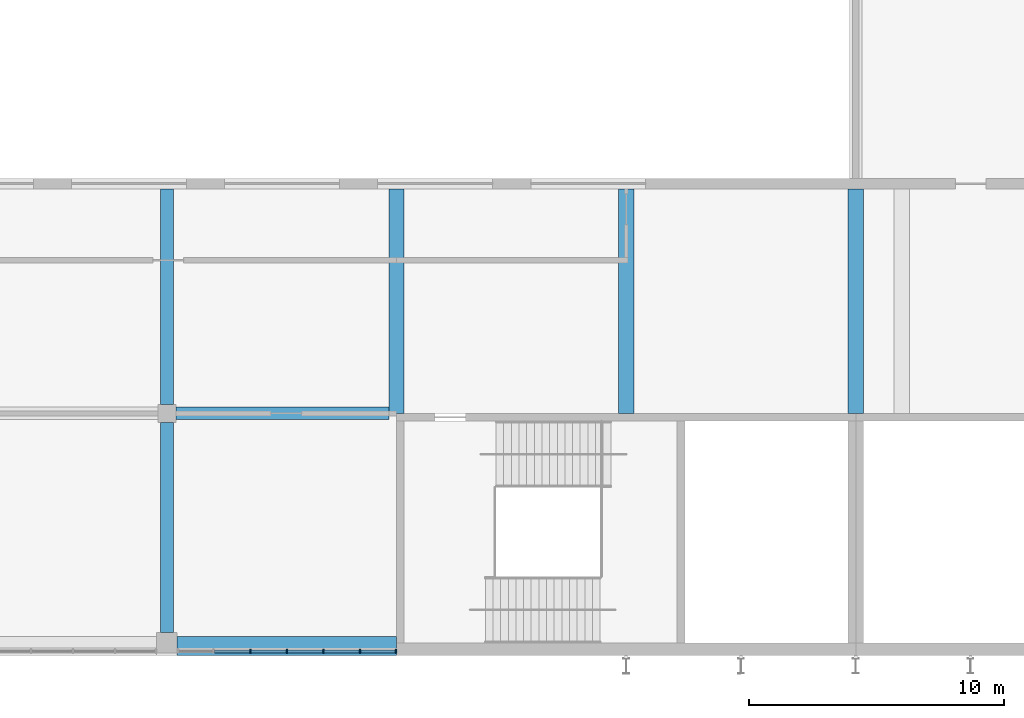
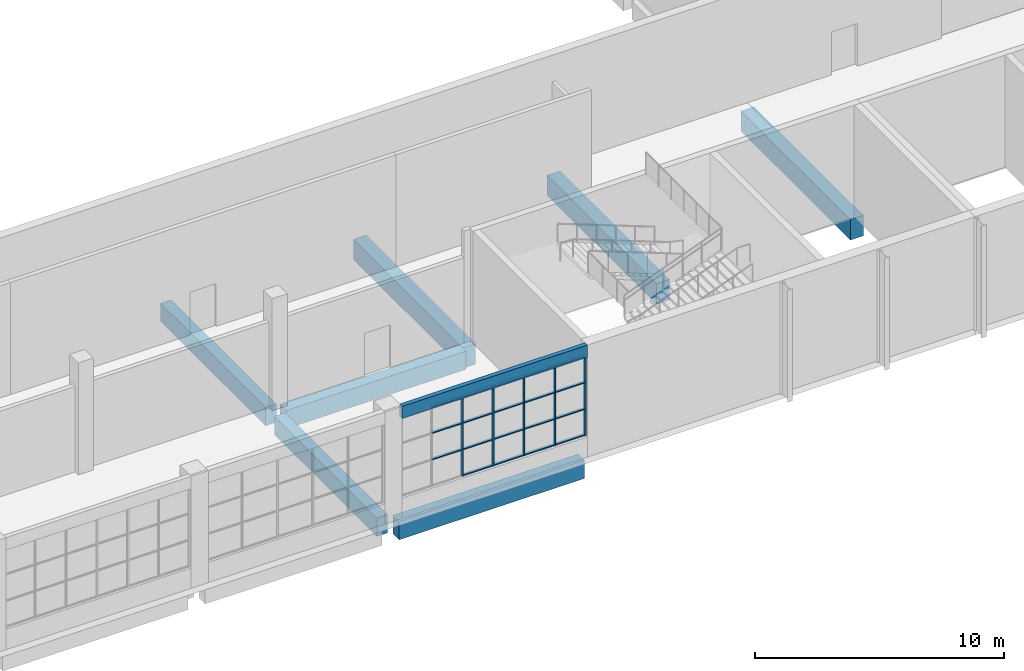
# One storey, part 9 of 84: 24 members, 8 beams, 1 element without a shape of its own.
"""IFC4 building model written with IfcOpenShell, lengths in metres."""

from ifc_helpers import new_model, si_unit, direction, frame, origin, origin_2d, place, context, subcontext, project, spatial, rectangle, extrude, material, material_profile, profile_set, type_object, element, aggregate, save


model = new_model("IFC4")

# Units and contexts
model_context = context("Model", 3, precision=1e-05, world=origin(), true_north=direction((0.0, 1.0)))
body_context = subcontext(model_context, "Body", "Model", "MODEL_VIEW")
ifc_project = project(units=[si_unit("LENGTHUNIT", "METRE"), si_unit("AREAUNIT", "SQUARE_METRE"), si_unit("VOLUMEUNIT", "CUBIC_METRE"), si_unit("PLANEANGLEUNIT", "RADIAN"), si_unit("MASSUNIT", "GRAM", prefix="KILO")], contexts=[model_context])

# Site, building, storey
site_placement = place(None, origin())
site = spatial("IfcSite", under=ifc_project, at=site_placement, CompositionType="ELEMENT")
building_placement = place(site_placement, origin())
building = spatial("IfcBuilding", under=site, at=building_placement, Name="Silverbay Arena", CompositionType="ELEMENT")
storey_placement = place(building_placement, frame((0.0, 0.0, 28.0)))
storey = spatial("IfcBuildingStorey", under=building, at=storey_placement, Name="L04", CompositionType="ELEMENT", Elevation=28.0)

# Curtain wall, members
ifc_material_1 = material(Name="Aluminium framed curtain wall", Category="aluminium")
curtain_wall_type = type_object("IfcCurtainWallType", Name="Curtain wall 8600 x 3900", PredefinedType="NOTDEFINED", material=ifc_material_1)
curtain_wall_placement = place(storey_placement, origin())
curtain_wall = element("IfcCurtainWall", 1, at=curtain_wall_placement, inside=storey, type_object=curtain_wall_type, Name="South curtain wall L04 bay 10", PredefinedType="NOTDEFINED")
ifc_material_2 = material(Name="Aluminium", Category="aluminium")
ifc_material_profile_1 = material_profile(ifc_material_2, rectangle(XDim=0.159912109375, YDim=0.06005859375, at=origin_2d()), Name="Mullion 60 x 160")
ifc_profile_set_1 = profile_set([ifc_material_profile_1], Name="Aluminium")
member_type_1 = type_object("IfcMemberType", Name="Mullion 60 x 160", PredefinedType="MULLION", material=ifc_profile_set_1)
member_1_placement = place(storey_placement, frame((138.2666015625, 17.669921875, 1.0), z_axis=(0.0, 0.0, 1.0), x_axis=(0.0, 1.0, 0.0)))
member_1 = element("IfcMember", 2, at=member_1_placement, type_object=member_type_1, Name="CW1 mullion 3", PredefinedType="MULLION", context=body_context, shape_type="SweptSolid", body=[
    extrude(rectangle(XDim=0.159912109375, YDim=0.06005859375, at=origin_2d()), origin(), (0.0, 0.0, 1.0), 3.89990234375),
])
member_2_placement = place(storey_placement, frame((139.699951171875, 17.669921875, 1.0), z_axis=(0.0, 0.0, 1.0), x_axis=(0.0, 1.0, 0.0)))
member_2 = element("IfcMember", 3, at=member_2_placement, type_object=member_type_1, Name="CW1 mullion 4", PredefinedType="MULLION", context=body_context, shape_type="SweptSolid", body=[
    extrude(rectangle(XDim=0.159912109375, YDim=0.06005859375, at=origin_2d()), origin(), (0.0, 0.0, 1.0), 3.89990234375),
])
member_3_placement = place(storey_placement, frame((141.13330078125, 17.669921875, 1.0), z_axis=(0.0, 0.0, 1.0), x_axis=(0.0, 1.0, 0.0)))
member_3 = element("IfcMember", 4, at=member_3_placement, type_object=member_type_1, Name="CW1 mullion 5", PredefinedType="MULLION", context=body_context, shape_type="SweptSolid", body=[
    extrude(rectangle(XDim=0.159912109375, YDim=0.06005859375, at=origin_2d()), origin(), (0.0, 0.0, 1.0), 3.89990234375),
])
member_4_placement = place(storey_placement, frame((142.566650390625, 17.669921875, 1.0), z_axis=(0.0, 0.0, 1.0), x_axis=(0.0, 1.0, 0.0)))
member_4 = element("IfcMember", 5, at=member_4_placement, type_object=member_type_1, Name="CW1 mullion 6", PredefinedType="MULLION", context=body_context, shape_type="SweptSolid", body=[
    extrude(rectangle(XDim=0.159912109375, YDim=0.06005859375, at=origin_2d()), origin(), (0.0, 0.0, 1.0), 3.89990234375),
])
member_5_placement = place(storey_placement, frame((143.969970703125, 17.669921875, 1.0), z_axis=(0.0, 0.0, 1.0), x_axis=(0.0, 1.0, 0.0)))
member_5 = element("IfcMember", 6, at=member_5_placement, type_object=member_type_1, Name="CW1 mullion 7", PredefinedType="MULLION", context=body_context, shape_type="SweptSolid", body=[
    extrude(rectangle(XDim=0.159912109375, YDim=0.06005859375, at=origin_2d()), origin(), (0.0, 0.0, 1.0), 3.89990234375),
])

# Beams
ifc_material_3 = material(Name="Concrete Grade C45", Category="concrete")
ifc_material_profile_2 = material_profile(ifc_material_3, rectangle(XDim=0.5, YDim=0.89990234375, at=origin_2d()), Name="RC 500x900")
ifc_profile_set_2 = profile_set([ifc_material_profile_2], Name="Concrete Grade C45")
beam_type_1 = type_object("IfcBeamType", Name="RC beam 500x900", PredefinedType="BEAM", material=ifc_profile_set_2)
beam_1_placement = place(storey_placement, frame((135.39990234375, 18.0, -0.75), z_axis=(1.0, 0.0, 0.0), x_axis=(0.0, 1.0, 0.0)))
element("IfcBeam", 7, at=beam_1_placement, inside=storey, type_object=beam_type_1, Name="Floor beam L04 004", PredefinedType="BEAM", context=body_context, shape_type="SweptSolid", body=[
    extrude(rectangle(XDim=0.5, YDim=0.89990234375, at=origin_2d()), origin(), (0.0, 0.0, 1.0), 8.60009765625),
])
beam_2_placement = place(storey_placement, frame((135.35009765625, 27.0, -0.75), z_axis=(1.0, 0.0, 0.0), x_axis=(0.0, 1.0, 0.0)))
element("IfcBeam", 8, at=beam_2_placement, inside=storey, type_object=beam_type_1, Name="Floor beam L04 009", PredefinedType="BEAM", context=body_context, shape_type="SweptSolid", body=[
    extrude(rectangle(XDim=0.5, YDim=0.89990234375, at=origin_2d()), origin(), (0.0, 0.0, 1.0), 8.349853515625),
])
beam_3_placement = place(storey_placement, frame((135.0, 18.39990234375, -0.75), z_axis=(0.0, 1.0, 0.0), x_axis=(-1.0, 0.0, 0.0)))
element("IfcBeam", 9, at=beam_3_placement, inside=storey, type_object=beam_type_1, Name="Floor beam L04 119", PredefinedType="BEAM", context=body_context, shape_type="SweptSolid", body=[
    extrude(rectangle(XDim=0.5, YDim=0.89990234375, at=origin_2d()), origin(), (0.0, 0.0, 1.0), 8.25),
])
beam_4_placement = place(storey_placement, frame((135.0, 27.35009765625, -0.75), z_axis=(0.0, 1.0, 0.0), x_axis=(-1.0, 0.0, 0.0)))
element("IfcBeam", 10, at=beam_4_placement, inside=storey, type_object=beam_type_1, Name="Floor beam L04 120", PredefinedType="BEAM", context=body_context, shape_type="SweptSolid", body=[
    extrude(rectangle(XDim=0.5, YDim=0.89990234375, at=origin_2d()), origin(), (0.0, 0.0, 1.0), 8.449951171875),
])
ifc_material_4 = material(Name="Concrete Grade C45", Category="concrete")
ifc_material_profile_3 = material_profile(ifc_material_4, rectangle(XDim=0.60009765625, YDim=1.0, at=origin_2d()), Name="RC 600x1000")
ifc_profile_set_3 = profile_set([ifc_material_profile_3], Name="Concrete Grade C45")
beam_type_2 = type_object("IfcBeamType", Name="RC beam 600x1000", PredefinedType="BEAM", material=ifc_profile_set_3)
for number, where, z_axis, x_axis, name in (
    (11, (144.0, 27.0, -0.800048828125), (0.0, 1.0, 0.0), (-1.0, 0.0, 0.0), "Floor beam L04 123"),
    (12, (153.0, 27.0, -0.800048828125), (0.0, 1.0, 0.0), (-1.0, 0.0, 0.0), "Floor beam L04 125"),
    (13, (162.0, 27.0, -0.800048828125), (0.0, 1.0, 0.0), (-1.0, 0.0, 0.0), "Floor beam L04 127"),
):
    element("IfcBeam", number, at=place(storey_placement, frame(where, z_axis=z_axis, x_axis=x_axis)), inside=storey, type_object=beam_type_2, Name=name, PredefinedType="BEAM", context=body_context, shape_type="SweptSolid", body=[
        extrude(rectangle(XDim=0.60009765625, YDim=1.0, at=origin_2d()), origin(), (0.0, 0.0, 1.0), 8.800048828125),
    ])
ifc_material_5 = material(Name="Concrete Grade C45", Category="concrete")
ifc_material_profile_4 = material_profile(ifc_material_5, rectangle(XDim=0.199951171875, YDim=0.60009765625, at=origin_2d()), Name="RC 200x600")
ifc_profile_set_4 = profile_set([ifc_material_profile_4], Name="Concrete Grade C45")
beam_type_3 = type_object("IfcBeamType", Name="RC facade beam 200x600", PredefinedType="SPANDREL", material=ifc_profile_set_4)
beam_5_placement = place(storey_placement, frame((135.39990234375, 17.60009765625, 5.199951171875), z_axis=(1.0, 0.0, 0.0), x_axis=(0.0, 1.0, 0.0)))
element("IfcBeam", 14, at=beam_5_placement, inside=storey, type_object=beam_type_3, Name="Facade beam L04 south", PredefinedType="SPANDREL", context=body_context, shape_type="SweptSolid", body=[
    extrude(rectangle(XDim=0.199951171875, YDim=0.60009765625, at=origin_2d()), origin(), (0.0, 0.0, 1.0), 8.60009765625),
])

# Member
ifc_material_6 = material(Name="Aluminium", Category="aluminium")
ifc_material_profile_5 = material_profile(ifc_material_6, rectangle(XDim=0.1201171875, YDim=0.050048828125, at=origin_2d()), Name="Transom 50 x 120")
ifc_profile_set_5 = profile_set([ifc_material_profile_5], Name="Aluminium")
member_type_2 = type_object("IfcMemberType", Name="Transom 50 x 120", PredefinedType="USERDEFINED", material=ifc_profile_set_5)
member_6_placement = place(storey_placement, frame((136.86328125, 17.669921875, 2.300048828125), z_axis=(1.0, 0.0, 0.0), x_axis=(0.0, 1.0, 0.0)))
member_6 = element("IfcMember", 15, at=member_6_placement, type_object=member_type_2, Name="CW1 transom 2.2", ObjectType="TRANSOM", PredefinedType="USERDEFINED", context=body_context, shape_type="SweptSolid", body=[
    extrude(rectangle(XDim=0.1201171875, YDim=0.050048828125, at=origin_2d()), origin(), (0.0, 0.0, 1.0), 1.373291015625),
])

member_7_placement = place(storey_placement, frame((136.86328125, 17.669921875, 3.60009765625), z_axis=(1.0, 0.0, 0.0), x_axis=(0.0, 1.0, 0.0)))
member_7 = element("IfcMember", 16, at=member_7_placement, type_object=member_type_2, Name="CW1 transom 2.3", ObjectType="TRANSOM", PredefinedType="USERDEFINED", context=body_context, shape_type="SweptSolid", body=[
    extrude(rectangle(XDim=0.1201171875, YDim=0.050048828125, at=origin_2d()), origin(), (0.0, 0.0, 1.0), 1.373291015625),
])

member_8_placement = place(storey_placement, frame((136.86328125, 17.669921875, 4.875), z_axis=(1.0, 0.0, 0.0), x_axis=(0.0, 1.0, 0.0)))
member_8 = element("IfcMember", 17, at=member_8_placement, type_object=member_type_2, Name="CW1 transom 2.4", ObjectType="TRANSOM", PredefinedType="USERDEFINED", context=body_context, shape_type="SweptSolid", body=[
    extrude(rectangle(XDim=0.1201171875, YDim=0.050048828125, at=origin_2d()), origin(), (0.0, 0.0, 1.0), 1.373291015625),
])

member_9_placement = place(storey_placement, frame((138.296630859375, 17.669921875, 1.02490234375), z_axis=(1.0, 0.0, 0.0), x_axis=(0.0, 1.0, 0.0)))
member_9 = element("IfcMember", 18, at=member_9_placement, type_object=member_type_2, Name="CW1 transom 3.1", ObjectType="TRANSOM", PredefinedType="USERDEFINED", context=body_context, shape_type="SweptSolid", body=[
    extrude(rectangle(XDim=0.1201171875, YDim=0.050048828125, at=origin_2d()), origin(), (0.0, 0.0, 1.0), 1.373291015625),
])

member_10_placement = place(storey_placement, frame((138.296630859375, 17.669921875, 2.300048828125), z_axis=(1.0, 0.0, 0.0), x_axis=(0.0, 1.0, 0.0)))
member_10 = element("IfcMember", 19, at=member_10_placement, type_object=member_type_2, Name="CW1 transom 3.2", ObjectType="TRANSOM", PredefinedType="USERDEFINED", context=body_context, shape_type="SweptSolid", body=[
    extrude(rectangle(XDim=0.1201171875, YDim=0.050048828125, at=origin_2d()), origin(), (0.0, 0.0, 1.0), 1.373291015625),
])

member_11_placement = place(storey_placement, frame((138.296630859375, 17.669921875, 3.60009765625), z_axis=(1.0, 0.0, 0.0), x_axis=(0.0, 1.0, 0.0)))
member_11 = element("IfcMember", 20, at=member_11_placement, type_object=member_type_2, Name="CW1 transom 3.3", ObjectType="TRANSOM", PredefinedType="USERDEFINED", context=body_context, shape_type="SweptSolid", body=[
    extrude(rectangle(XDim=0.1201171875, YDim=0.050048828125, at=origin_2d()), origin(), (0.0, 0.0, 1.0), 1.373291015625),
])

member_12_placement = place(storey_placement, frame((138.296630859375, 17.669921875, 4.875), z_axis=(1.0, 0.0, 0.0), x_axis=(0.0, 1.0, 0.0)))
member_12 = element("IfcMember", 21, at=member_12_placement, type_object=member_type_2, Name="CW1 transom 3.4", ObjectType="TRANSOM", PredefinedType="USERDEFINED", context=body_context, shape_type="SweptSolid", body=[
    extrude(rectangle(XDim=0.1201171875, YDim=0.050048828125, at=origin_2d()), origin(), (0.0, 0.0, 1.0), 1.373291015625),
])

member_13_placement = place(storey_placement, frame((139.72998046875, 17.669921875, 1.02490234375), z_axis=(1.0, 0.0, 0.0), x_axis=(0.0, 1.0, 0.0)))
member_13 = element("IfcMember", 22, at=member_13_placement, type_object=member_type_2, Name="CW1 transom 4.1", ObjectType="TRANSOM", PredefinedType="USERDEFINED", context=body_context, shape_type="SweptSolid", body=[
    extrude(rectangle(XDim=0.1201171875, YDim=0.050048828125, at=origin_2d()), origin(), (0.0, 0.0, 1.0), 1.373291015625),
])

member_14_placement = place(storey_placement, frame((139.72998046875, 17.669921875, 2.300048828125), z_axis=(1.0, 0.0, 0.0), x_axis=(0.0, 1.0, 0.0)))
member_14 = element("IfcMember", 23, at=member_14_placement, type_object=member_type_2, Name="CW1 transom 4.2", ObjectType="TRANSOM", PredefinedType="USERDEFINED", context=body_context, shape_type="SweptSolid", body=[
    extrude(rectangle(XDim=0.1201171875, YDim=0.050048828125, at=origin_2d()), origin(), (0.0, 0.0, 1.0), 1.373291015625),
])

member_15_placement = place(storey_placement, frame((139.72998046875, 17.669921875, 3.60009765625), z_axis=(1.0, 0.0, 0.0), x_axis=(0.0, 1.0, 0.0)))
member_15 = element("IfcMember", 24, at=member_15_placement, type_object=member_type_2, Name="CW1 transom 4.3", ObjectType="TRANSOM", PredefinedType="USERDEFINED", context=body_context, shape_type="SweptSolid", body=[
    extrude(rectangle(XDim=0.1201171875, YDim=0.050048828125, at=origin_2d()), origin(), (0.0, 0.0, 1.0), 1.373291015625),
])

member_16_placement = place(storey_placement, frame((139.72998046875, 17.669921875, 4.875), z_axis=(1.0, 0.0, 0.0), x_axis=(0.0, 1.0, 0.0)))
member_16 = element("IfcMember", 25, at=member_16_placement, type_object=member_type_2, Name="CW1 transom 4.4", ObjectType="TRANSOM", PredefinedType="USERDEFINED", context=body_context, shape_type="SweptSolid", body=[
    extrude(rectangle(XDim=0.1201171875, YDim=0.050048828125, at=origin_2d()), origin(), (0.0, 0.0, 1.0), 1.373291015625),
])

member_17_placement = place(storey_placement, frame((141.163330078125, 17.669921875, 1.02490234375), z_axis=(1.0, 0.0, 0.0), x_axis=(0.0, 1.0, 0.0)))
member_17 = element("IfcMember", 26, at=member_17_placement, type_object=member_type_2, Name="CW1 transom 5.1", ObjectType="TRANSOM", PredefinedType="USERDEFINED", context=body_context, shape_type="SweptSolid", body=[
    extrude(rectangle(XDim=0.1201171875, YDim=0.050048828125, at=origin_2d()), origin(), (0.0, 0.0, 1.0), 1.373291015625),
])

member_18_placement = place(storey_placement, frame((141.163330078125, 17.669921875, 2.300048828125), z_axis=(1.0, 0.0, 0.0), x_axis=(0.0, 1.0, 0.0)))
member_18 = element("IfcMember", 27, at=member_18_placement, type_object=member_type_2, Name="CW1 transom 5.2", ObjectType="TRANSOM", PredefinedType="USERDEFINED", context=body_context, shape_type="SweptSolid", body=[
    extrude(rectangle(XDim=0.1201171875, YDim=0.050048828125, at=origin_2d()), origin(), (0.0, 0.0, 1.0), 1.373291015625),
])

member_19_placement = place(storey_placement, frame((141.163330078125, 17.669921875, 3.60009765625), z_axis=(1.0, 0.0, 0.0), x_axis=(0.0, 1.0, 0.0)))
member_19 = element("IfcMember", 28, at=member_19_placement, type_object=member_type_2, Name="CW1 transom 5.3", ObjectType="TRANSOM", PredefinedType="USERDEFINED", context=body_context, shape_type="SweptSolid", body=[
    extrude(rectangle(XDim=0.1201171875, YDim=0.050048828125, at=origin_2d()), origin(), (0.0, 0.0, 1.0), 1.373291015625),
])

member_20_placement = place(storey_placement, frame((141.163330078125, 17.669921875, 4.875), z_axis=(1.0, 0.0, 0.0), x_axis=(0.0, 1.0, 0.0)))
member_20 = element("IfcMember", 29, at=member_20_placement, type_object=member_type_2, Name="CW1 transom 5.4", ObjectType="TRANSOM", PredefinedType="USERDEFINED", context=body_context, shape_type="SweptSolid", body=[
    extrude(rectangle(XDim=0.1201171875, YDim=0.050048828125, at=origin_2d()), origin(), (0.0, 0.0, 1.0), 1.373291015625),
])

member_21_placement = place(storey_placement, frame((142.5966796875, 17.669921875, 1.02490234375), z_axis=(1.0, 0.0, 0.0), x_axis=(0.0, 1.0, 0.0)))
member_21 = element("IfcMember", 30, at=member_21_placement, type_object=member_type_2, Name="CW1 transom 6.1", ObjectType="TRANSOM", PredefinedType="USERDEFINED", context=body_context, shape_type="SweptSolid", body=[
    extrude(rectangle(XDim=0.1201171875, YDim=0.050048828125, at=origin_2d()), origin(), (0.0, 0.0, 1.0), 1.34326171875),
])

member_22_placement = place(storey_placement, frame((142.5966796875, 17.669921875, 2.300048828125), z_axis=(1.0, 0.0, 0.0), x_axis=(0.0, 1.0, 0.0)))
member_22 = element("IfcMember", 31, at=member_22_placement, type_object=member_type_2, Name="CW1 transom 6.2", ObjectType="TRANSOM", PredefinedType="USERDEFINED", context=body_context, shape_type="SweptSolid", body=[
    extrude(rectangle(XDim=0.1201171875, YDim=0.050048828125, at=origin_2d()), origin(), (0.0, 0.0, 1.0), 1.34326171875),
])

member_23_placement = place(storey_placement, frame((142.5966796875, 17.669921875, 3.60009765625), z_axis=(1.0, 0.0, 0.0), x_axis=(0.0, 1.0, 0.0)))
member_23 = element("IfcMember", 32, at=member_23_placement, type_object=member_type_2, Name="CW1 transom 6.3", ObjectType="TRANSOM", PredefinedType="USERDEFINED", context=body_context, shape_type="SweptSolid", body=[
    extrude(rectangle(XDim=0.1201171875, YDim=0.050048828125, at=origin_2d()), origin(), (0.0, 0.0, 1.0), 1.34326171875),
])

member_24_placement = place(storey_placement, frame((142.5966796875, 17.669921875, 4.875), z_axis=(1.0, 0.0, 0.0), x_axis=(0.0, 1.0, 0.0)))
member_24 = element("IfcMember", 33, at=member_24_placement, type_object=member_type_2, Name="CW1 transom 6.4", ObjectType="TRANSOM", PredefinedType="USERDEFINED", context=body_context, shape_type="SweptSolid", body=[
    extrude(rectangle(XDim=0.1201171875, YDim=0.050048828125, at=origin_2d()), origin(), (0.0, 0.0, 1.0), 1.34326171875),
])

aggregate(curtain_wall, [member_1, member_2, member_3, member_4, member_5, member_6, member_7, member_8, member_9, member_10, member_11, member_12, member_13, member_14, member_15, member_16, member_17, member_18, member_19, member_20, member_21, member_22, member_23, member_24])

save(model, "model.ifc")
